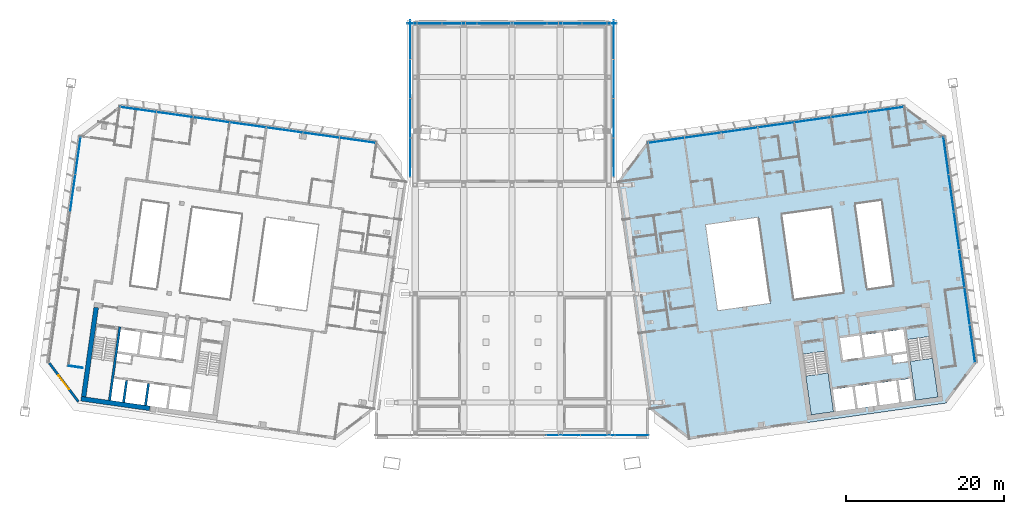
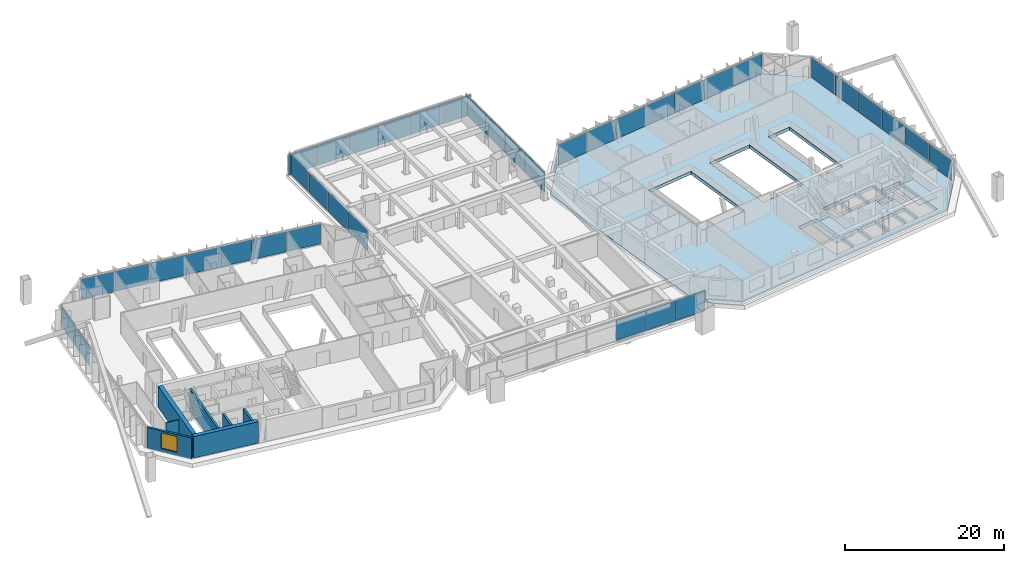
# One storey, part 14 of 28: 39 plates, 7 walls, 3 slabs, 1 window, 1 opening, 10 elements without a shape of their own.
"""IFC4 building model written with IfcOpenShell, lengths in metres."""

from ifc_helpers import new_model, si_unit, direction, frame, frame_2d, origin, origin_2d, place, context, subcontext, project, spatial, polyline, rectangle, outline, extrude, material, layer, layer_set, type_object, element, fill, aggregate, save


model = new_model("IFC4")

# Units and contexts
model_context = context("Model", 3, precision=1e-05, world=origin(), true_north=direction((0.0, 1.0)))
body_context = subcontext(model_context, "Body", "Model", "MODEL_VIEW")
ifc_project = project(units=[si_unit("LENGTHUNIT", "METRE"), si_unit("AREAUNIT", "SQUARE_METRE"), si_unit("VOLUMEUNIT", "CUBIC_METRE"), si_unit("PLANEANGLEUNIT", "RADIAN"), si_unit("MASSUNIT", "GRAM", prefix="KILO")], contexts=[model_context])

# Site, building, storey
site_placement = place(None, origin())
site = spatial("IfcSite", under=ifc_project, at=site_placement, CompositionType="ELEMENT")
building_placement = place(site_placement, origin())
building = spatial("IfcBuilding", under=site, at=building_placement, Name="Mirante Cascada Hotel Towers", CompositionType="ELEMENT")
storey_placement = place(building_placement, frame((0.0, 0.0, 262.2)))
storey = spatial("IfcBuildingStorey", under=building, at=storey_placement, Name="L63", CompositionType="ELEMENT", Elevation=262.2)

# Curtain wall, plates
ifc_material_1 = material(Name="Aluminium mullion and transom frame with clear laminated glass", Category="aluminium")
curtain_wall_type_1 = type_object("IfcCurtainWallType", Name="Ribbon curtain wall ECW1", PredefinedType="NOTDEFINED", material=ifc_material_1)
curtain_wall_1_placement = place(storey_placement, origin())
curtain_wall_1 = element("IfcCurtainWall", 1, at=curtain_wall_1_placement, inside=storey, type_object=curtain_wall_type_1, Name="Front ribbon wall T1 L63", PredefinedType="NOTDEFINED")
ifc_material_2 = material(Name="Clear laminated glass", Category="glass")
ifc_layer_1 = layer(ifc_material_2, 0.036)
ifc_layer_set_1 = layer_set([ifc_layer_1], Name="ECW1 glass panel 36")
plate_type_1 = type_object("IfcPlateType", Name="ECW1 glass panel 36", PredefinedType="CURTAIN_PANEL", material=ifc_layer_set_1)
plate_1_placement = place(storey_placement, frame((-47.2679, 19.4621, 0.1), z_axis=(0.0, 0.0, 1.0), x_axis=(0.9902681, -0.1391731, 0.0)))
plate_1 = element("IfcPlate", 2, at=plate_1_placement, type_object=plate_type_1, Name="ECW1 panel 1", PredefinedType="CURTAIN_PANEL", context=body_context, shape_type="SweptSolid", body=[
    extrude(rectangle(XDim=4.5722, YDim=0.036, at=origin_2d()), origin(), (0.0, 0.0, 1.0), 3.1),
])
plate_2_placement = place(storey_placement, frame((-42.6598, 18.8145, 0.1), z_axis=(0.0, 0.0, 1.0), x_axis=(0.9902681, -0.1391731, 0.0)))
plate_2 = element("IfcPlate", 3, at=plate_2_placement, type_object=plate_type_1, Name="ECW1 panel 2", PredefinedType="CURTAIN_PANEL", context=body_context, shape_type="SweptSolid", body=[
    extrude(rectangle(XDim=4.6047, YDim=0.036, at=origin_2d()), origin(), (0.0, 0.0, 1.0), 3.1),
])
plate_3_placement = place(storey_placement, frame((-38.0355, 18.1646, 0.1), z_axis=(0.0, 0.0, 1.0), x_axis=(0.9902681, -0.1391731, 0.0)))
plate_3 = element("IfcPlate", 4, at=plate_3_placement, type_object=plate_type_1, Name="ECW1 panel 3", PredefinedType="CURTAIN_PANEL", context=body_context, shape_type="SweptSolid", body=[
    extrude(rectangle(XDim=4.6047, YDim=0.036, at=origin_2d()), origin(), (0.0, 0.0, 1.0), 3.1),
])
plate_4_placement = place(storey_placement, frame((-33.4113, 17.5147, 0.1), z_axis=(0.0, 0.0, 1.0), x_axis=(0.9902681, -0.1391731, 0.0)))
plate_4 = element("IfcPlate", 5, at=plate_4_placement, type_object=plate_type_1, Name="ECW1 panel 4", PredefinedType="CURTAIN_PANEL", context=body_context, shape_type="SweptSolid", body=[
    extrude(rectangle(XDim=4.6047, YDim=0.036, at=origin_2d()), origin(), (0.0, 0.0, 1.0), 3.1),
])
plate_5_placement = place(storey_placement, frame((-28.7871, 16.8648, 0.1), z_axis=(0.0, 0.0, 1.0), x_axis=(0.9902681, -0.1391731, 0.0)))
plate_5 = element("IfcPlate", 6, at=plate_5_placement, type_object=plate_type_1, Name="ECW1 panel 5", PredefinedType="CURTAIN_PANEL", context=body_context, shape_type="SweptSolid", body=[
    extrude(rectangle(XDim=4.6047, YDim=0.036, at=origin_2d()), origin(), (0.0, 0.0, 1.0), 3.1),
])
plate_6_placement = place(storey_placement, frame((-24.1628, 16.2149, 0.1), z_axis=(0.0, 0.0, 1.0), x_axis=(0.9902681, -0.1391731, 0.0)))
plate_6 = element("IfcPlate", 7, at=plate_6_placement, type_object=plate_type_1, Name="ECW1 panel 6", PredefinedType="CURTAIN_PANEL", context=body_context, shape_type="SweptSolid", body=[
    extrude(rectangle(XDim=4.6047, YDim=0.036, at=origin_2d()), origin(), (0.0, 0.0, 1.0), 3.1),
])
plate_7_placement = place(storey_placement, frame((-19.5547, 15.5673, 0.1), z_axis=(0.0, 0.0, 1.0), x_axis=(0.9902681, -0.1391731, 0.0)))
plate_7 = element("IfcPlate", 8, at=plate_7_placement, type_object=plate_type_1, Name="ECW1 panel 7", PredefinedType="CURTAIN_PANEL", context=body_context, shape_type="SweptSolid", body=[
    extrude(rectangle(XDim=4.5722, YDim=0.036, at=origin_2d()), origin(), (0.0, 0.0, 1.0), 3.1),
])
aggregate(curtain_wall_1, [plate_1, plate_2, plate_3, plate_4, plate_5, plate_6, plate_7])

curtain_wall_2_placement = place(storey_placement, origin())
curtain_wall_2 = element("IfcCurtainWall", 9, at=curtain_wall_2_placement, inside=storey, type_object=curtain_wall_type_1, Name="Front ribbon wall T2 L63", PredefinedType="NOTDEFINED")
plate_8_placement = place(storey_placement, frame((47.2679, 19.4621, 0.1), z_axis=(0.0, 0.0, 1.0), x_axis=(-0.9902681, -0.1391731, 0.0)))
plate_8 = element("IfcPlate", 10, at=plate_8_placement, type_object=plate_type_1, Name="ECW1 panel 1", PredefinedType="CURTAIN_PANEL", context=body_context, shape_type="SweptSolid", body=[
    extrude(rectangle(XDim=4.5722, YDim=0.036, at=origin_2d()), origin(), (0.0, 0.0, 1.0), 3.1),
])
plate_9_placement = place(storey_placement, frame((42.6598, 18.8145, 0.1), z_axis=(0.0, 0.0, 1.0), x_axis=(-0.9902681, -0.1391731, 0.0)))
plate_9 = element("IfcPlate", 11, at=plate_9_placement, type_object=plate_type_1, Name="ECW1 panel 2", PredefinedType="CURTAIN_PANEL", context=body_context, shape_type="SweptSolid", body=[
    extrude(rectangle(XDim=4.6047, YDim=0.036, at=origin_2d()), origin(), (0.0, 0.0, 1.0), 3.1),
])
plate_10_placement = place(storey_placement, frame((38.0355, 18.1646, 0.1), z_axis=(0.0, 0.0, 1.0), x_axis=(-0.9902681, -0.1391731, 0.0)))
plate_10 = element("IfcPlate", 12, at=plate_10_placement, type_object=plate_type_1, Name="ECW1 panel 3", PredefinedType="CURTAIN_PANEL", context=body_context, shape_type="SweptSolid", body=[
    extrude(rectangle(XDim=4.6047, YDim=0.036, at=origin_2d()), origin(), (0.0, 0.0, 1.0), 3.1),
])
plate_11_placement = place(storey_placement, frame((33.4113, 17.5147, 0.1), z_axis=(0.0, 0.0, 1.0), x_axis=(-0.9902681, -0.1391731, 0.0)))
plate_11 = element("IfcPlate", 13, at=plate_11_placement, type_object=plate_type_1, Name="ECW1 panel 4", PredefinedType="CURTAIN_PANEL", context=body_context, shape_type="SweptSolid", body=[
    extrude(rectangle(XDim=4.6047, YDim=0.036, at=origin_2d()), origin(), (0.0, 0.0, 1.0), 3.1),
])
plate_12_placement = place(storey_placement, frame((28.7871, 16.8648, 0.1), z_axis=(0.0, 0.0, 1.0), x_axis=(-0.9902681, -0.1391731, 0.0)))
plate_12 = element("IfcPlate", 14, at=plate_12_placement, type_object=plate_type_1, Name="ECW1 panel 5", PredefinedType="CURTAIN_PANEL", context=body_context, shape_type="SweptSolid", body=[
    extrude(rectangle(XDim=4.6047, YDim=0.036, at=origin_2d()), origin(), (0.0, 0.0, 1.0), 3.1),
])
plate_13_placement = place(storey_placement, frame((24.1628, 16.2149, 0.1), z_axis=(0.0, 0.0, 1.0), x_axis=(-0.9902681, -0.1391731, 0.0)))
plate_13 = element("IfcPlate", 15, at=plate_13_placement, type_object=plate_type_1, Name="ECW1 panel 6", PredefinedType="CURTAIN_PANEL", context=body_context, shape_type="SweptSolid", body=[
    extrude(rectangle(XDim=4.6047, YDim=0.036, at=origin_2d()), origin(), (0.0, 0.0, 1.0), 3.1),
])
plate_14_placement = place(storey_placement, frame((19.5547, 15.5673, 0.1), z_axis=(0.0, 0.0, 1.0), x_axis=(-0.9902681, -0.1391731, 0.0)))
plate_14 = element("IfcPlate", 16, at=plate_14_placement, type_object=plate_type_1, Name="ECW1 panel 7", PredefinedType="CURTAIN_PANEL", context=body_context, shape_type="SweptSolid", body=[
    extrude(rectangle(XDim=4.5722, YDim=0.036, at=origin_2d()), origin(), (0.0, 0.0, 1.0), 3.1),
])
aggregate(curtain_wall_2, [plate_8, plate_9, plate_10, plate_11, plate_12, plate_13, plate_14])

ifc_material_3 = material(Name="Aluminium mullion and transom frame with clear laminated glass", Category="aluminium")
curtain_wall_type_2 = type_object("IfcCurtainWallType", Name="End ribbon curtain wall ECW2", PredefinedType="NOTDEFINED", material=ifc_material_3)
curtain_wall_3_placement = place(storey_placement, origin())
curtain_wall_3 = element("IfcCurtainWall", 17, at=curtain_wall_3_placement, inside=storey, type_object=curtain_wall_type_2, Name="Outer end wall T1 L63", PredefinedType="NOTDEFINED")
ifc_material_4 = material(Name="Clear laminated glass", Category="glass")
ifc_layer_2 = layer(ifc_material_4, 0.034)
ifc_layer_set_2 = layer_set([ifc_layer_2], Name="ECW2 glass panel 34")
plate_type_2 = type_object("IfcPlateType", Name="ECW2 glass panel 34", PredefinedType="CURTAIN_PANEL", material=ifc_layer_set_2)
plate_15_placement = place(storey_placement, frame((-55.584, 8.8855, 0.1), z_axis=(0.0, 0.0, 1.0), x_axis=(0.1391731, 0.9902681, 0.0)))
plate_15 = element("IfcPlate", 18, at=plate_15_placement, type_object=plate_type_2, Name="ECW2 panel 5", PredefinedType="CURTAIN_PANEL", context=body_context, shape_type="SweptSolid", body=[
    extrude(rectangle(XDim=4.7476, YDim=0.034, at=origin_2d()), origin(), (0.0, 0.0, 1.0), 3.1),
])
plate_16_placement = place(storey_placement, frame((-54.9165, 13.6352, 0.1), z_axis=(0.0, 0.0, 1.0), x_axis=(0.1391731, 0.9902681, 0.0)))
plate_16 = element("IfcPlate", 19, at=plate_16_placement, type_object=plate_type_2, Name="ECW2 panel 6", PredefinedType="CURTAIN_PANEL", context=body_context, shape_type="SweptSolid", body=[
    extrude(rectangle(XDim=4.7151, YDim=0.034, at=origin_2d()), origin(), (0.0, 0.0, 1.0), 3.1),
])
aggregate(curtain_wall_3, [plate_15, plate_16])

curtain_wall_4_placement = place(storey_placement, origin())
curtain_wall_4 = element("IfcCurtainWall", 20, at=curtain_wall_4_placement, inside=storey, type_object=curtain_wall_type_2, Name="Outer end wall T2 L63", PredefinedType="NOTDEFINED")
plate_17_placement = place(storey_placement, frame((58.2609, -10.1616, 0.1), z_axis=(0.0, 0.0, 1.0), x_axis=(-0.1391731, 0.9902681, 0.0)))
plate_17 = element("IfcPlate", 21, at=plate_17_placement, type_object=plate_type_2, Name="ECW2 panel 1", PredefinedType="CURTAIN_PANEL", context=body_context, shape_type="SweptSolid", body=[
    extrude(rectangle(XDim=4.7151, YDim=0.034, at=origin_2d()), origin(), (0.0, 0.0, 1.0), 3.1),
])
plate_18_placement = place(storey_placement, frame((57.5934, -5.4119, 0.1), z_axis=(0.0, 0.0, 1.0), x_axis=(-0.1391731, 0.9902681, 0.0)))
plate_18 = element("IfcPlate", 22, at=plate_18_placement, type_object=plate_type_2, Name="ECW2 panel 2", PredefinedType="CURTAIN_PANEL", context=body_context, shape_type="SweptSolid", body=[
    extrude(rectangle(XDim=4.7476, YDim=0.034, at=origin_2d()), origin(), (0.0, 0.0, 1.0), 3.1),
])
plate_19_placement = place(storey_placement, frame((56.9236, -0.6461, 0.1), z_axis=(0.0, 0.0, 1.0), x_axis=(-0.1391731, 0.9902681, 0.0)))
plate_19 = element("IfcPlate", 23, at=plate_19_placement, type_object=plate_type_2, Name="ECW2 panel 3", PredefinedType="CURTAIN_PANEL", context=body_context, shape_type="SweptSolid", body=[
    extrude(rectangle(XDim=4.7476, YDim=0.034, at=origin_2d()), origin(), (0.0, 0.0, 1.0), 3.1),
])
plate_20_placement = place(storey_placement, frame((56.2538, 4.1197, 0.1), z_axis=(0.0, 0.0, 1.0), x_axis=(-0.1391731, 0.9902681, 0.0)))
plate_20 = element("IfcPlate", 24, at=plate_20_placement, type_object=plate_type_2, Name="ECW2 panel 4", PredefinedType="CURTAIN_PANEL", context=body_context, shape_type="SweptSolid", body=[
    extrude(rectangle(XDim=4.7476, YDim=0.034, at=origin_2d()), origin(), (0.0, 0.0, 1.0), 3.1),
])
plate_21_placement = place(storey_placement, frame((55.584, 8.8855, 0.1), z_axis=(0.0, 0.0, 1.0), x_axis=(-0.1391731, 0.9902681, 0.0)))
plate_21 = element("IfcPlate", 25, at=plate_21_placement, type_object=plate_type_2, Name="ECW2 panel 5", PredefinedType="CURTAIN_PANEL", context=body_context, shape_type="SweptSolid", body=[
    extrude(rectangle(XDim=4.7476, YDim=0.034, at=origin_2d()), origin(), (0.0, 0.0, 1.0), 3.1),
])
plate_22_placement = place(storey_placement, frame((54.9165, 13.6352, 0.1), z_axis=(0.0, 0.0, 1.0), x_axis=(-0.1391731, 0.9902681, 0.0)))
plate_22 = element("IfcPlate", 26, at=plate_22_placement, type_object=plate_type_2, Name="ECW2 panel 6", PredefinedType="CURTAIN_PANEL", context=body_context, shape_type="SweptSolid", body=[
    extrude(rectangle(XDim=4.7151, YDim=0.034, at=origin_2d()), origin(), (0.0, 0.0, 1.0), 3.1),
])
aggregate(curtain_wall_4, [plate_17, plate_18, plate_19, plate_20, plate_21, plate_22])

ifc_material_5 = material(Name="Aluminium mullion and transom frame with clear laminated glass", Category="aluminium")
curtain_wall_type_3 = type_object("IfcCurtainWallType", Name="Sky park deck curtain wall ECW5", PredefinedType="NOTDEFINED", material=ifc_material_5)
curtain_wall_5_placement = place(storey_placement, origin())
curtain_wall_5 = element("IfcCurtainWall", 27, at=curtain_wall_5_placement, inside=storey, type_object=curtain_wall_type_3, Name="Sky park glazing L63 run 1", PredefinedType="NOTDEFINED")
ifc_material_6 = material(Name="Clear laminated glass", Category="glass")
ifc_layer_3 = layer(ifc_material_6, 0.032)
ifc_layer_set_3 = layer_set([ifc_layer_3], Name="ECW5 glass panel 32")
plate_type_3 = type_object("IfcPlateType", Name="ECW5 glass panel 32", PredefinedType="CURTAIN_PANEL", material=ifc_layer_set_3)
plate_23_placement = place(storey_placement, frame((15.1664, -21.7525, 0.09), z_axis=(0.0, 0.0, 1.0), x_axis=(1.0, 0.0, 0.0)))
plate_23 = element("IfcPlate", 28, at=plate_23_placement, type_object=plate_type_3, Name="ECW5 panel 8", PredefinedType="CURTAIN_PANEL", context=body_context, shape_type="SweptSolid", body=[
    extrude(rectangle(XDim=4.2475, YDim=0.032, at=origin_2d()), origin(), (0.0, 0.0, 1.0), 3.12),
])
ifc_material_7 = material(Name="Insulated aluminium spandrel panel", Category="aluminium")
ifc_layer_4 = layer(ifc_material_7, 0.032)
ifc_layer_set_4 = layer_set([ifc_layer_4], Name="ECW5 spandrel panel 32")
plate_type_4 = type_object("IfcPlateType", Name="ECW5 spandrel panel 32", PredefinedType="CURTAIN_PANEL", material=ifc_layer_set_4)
plate_24_placement = place(storey_placement, frame((6.5063, -21.7525, 0.09), z_axis=(0.0, 0.0, 1.0), x_axis=(1.0, 0.0, 0.0)))
plate_24 = element("IfcPlate", 29, at=plate_24_placement, type_object=plate_type_4, Name="ECW5 panel 6", PredefinedType="CURTAIN_PANEL", context=body_context, shape_type="SweptSolid", body=[
    extrude(rectangle(XDim=4.2775, YDim=0.032, at=origin_2d()), origin(), (0.0, 0.0, 1.0), 3.12),
])
plate_25_placement = place(storey_placement, frame((10.8439, -21.7525, 0.09), z_axis=(0.0, 0.0, 1.0), x_axis=(1.0, 0.0, 0.0)))
plate_25 = element("IfcPlate", 30, at=plate_25_placement, type_object=plate_type_4, Name="ECW5 panel 7", PredefinedType="CURTAIN_PANEL", context=body_context, shape_type="SweptSolid", body=[
    extrude(rectangle(XDim=4.2775, YDim=0.032, at=origin_2d()), origin(), (0.0, 0.0, 1.0), 3.12),
])
aggregate(curtain_wall_5, [plate_24, plate_25, plate_23])

curtain_wall_6_placement = place(storey_placement, origin())
curtain_wall_6 = element("IfcCurtainWall", 31, at=curtain_wall_6_placement, inside=storey, type_object=curtain_wall_type_3, Name="Sky park glazing L63 run 2", PredefinedType="NOTDEFINED")
plate_26_placement = place(storey_placement, frame((12.8642, 13.4, 0.09), z_axis=(0.0, 0.0, 1.0), x_axis=(0.0, 1.0, 0.0)))
plate_26 = element("IfcPlate", 32, at=plate_26_placement, type_object=plate_type_4, Name="ECW5 panel 1", PredefinedType="CURTAIN_PANEL", context=body_context, shape_type="SweptSolid", body=[
    extrude(rectangle(XDim=4.885, YDim=0.032, at=origin_2d()), origin(), (0.0, 0.0, 1.0), 3.12),
])
plate_27_placement = place(storey_placement, frame((12.8642, 18.36, 0.09), z_axis=(0.0, 0.0, 1.0), x_axis=(0.0, 1.0, 0.0)))
plate_27 = element("IfcPlate", 33, at=plate_27_placement, type_object=plate_type_4, Name="ECW5 panel 2", PredefinedType="CURTAIN_PANEL", context=body_context, shape_type="SweptSolid", body=[
    extrude(rectangle(XDim=4.915, YDim=0.032, at=origin_2d()), origin(), (0.0, 0.0, 1.0), 3.12),
])
plate_28_placement = place(storey_placement, frame((12.8642, 23.335, 0.09), z_axis=(0.0, 0.0, 1.0), x_axis=(0.0, 1.0, 0.0)))
plate_28 = element("IfcPlate", 34, at=plate_28_placement, type_object=plate_type_4, Name="ECW5 panel 3", PredefinedType="CURTAIN_PANEL", context=body_context, shape_type="SweptSolid", body=[
    extrude(rectangle(XDim=4.915, YDim=0.032, at=origin_2d()), origin(), (0.0, 0.0, 1.0), 3.12),
])
plate_29_placement = place(storey_placement, frame((12.8642, 28.295, 0.09), z_axis=(0.0, 0.0, 1.0), x_axis=(0.0, 1.0, 0.0)))
plate_29 = element("IfcPlate", 35, at=plate_29_placement, type_object=plate_type_4, Name="ECW5 panel 4", PredefinedType="CURTAIN_PANEL", context=body_context, shape_type="SweptSolid", body=[
    extrude(rectangle(XDim=4.885, YDim=0.032, at=origin_2d()), origin(), (0.0, 0.0, 1.0), 3.12),
])
aggregate(curtain_wall_6, [plate_26, plate_27, plate_28, plate_29])

curtain_wall_7_placement = place(storey_placement, origin())
curtain_wall_7 = element("IfcCurtainWall", 36, at=curtain_wall_7_placement, inside=storey, type_object=curtain_wall_type_3, Name="Sky park glazing L63 run 3", PredefinedType="NOTDEFINED")
plate_30_placement = place(storey_placement, frame((11.0801, 30.3475, 0.09), z_axis=(0.0, 0.0, 1.0), x_axis=(-1.0, 0.0, 0.0)))
plate_30 = element("IfcPlate", 37, at=plate_30_placement, type_object=plate_type_4, Name="ECW5 panel 1", PredefinedType="CURTAIN_PANEL", context=body_context, shape_type="SweptSolid", body=[
    extrude(rectangle(XDim=4.3481, YDim=0.032, at=origin_2d()), origin(), (0.0, 0.0, 1.0), 3.12),
])
plate_31_placement = place(storey_placement, frame((6.6571, 30.3475, 0.09), z_axis=(0.0, 0.0, 1.0), x_axis=(-1.0, 0.0, 0.0)))
plate_31 = element("IfcPlate", 38, at=plate_31_placement, type_object=plate_type_4, Name="ECW5 panel 2", PredefinedType="CURTAIN_PANEL", context=body_context, shape_type="SweptSolid", body=[
    extrude(rectangle(XDim=4.3781, YDim=0.032, at=origin_2d()), origin(), (0.0, 0.0, 1.0), 3.12),
])
plate_32_placement = place(storey_placement, frame((2.219, 30.3475, 0.09), z_axis=(0.0, 0.0, 1.0), x_axis=(-1.0, 0.0, 0.0)))
plate_32 = element("IfcPlate", 39, at=plate_32_placement, type_object=plate_type_4, Name="ECW5 panel 3", PredefinedType="CURTAIN_PANEL", context=body_context, shape_type="SweptSolid", body=[
    extrude(rectangle(XDim=4.3781, YDim=0.032, at=origin_2d()), origin(), (0.0, 0.0, 1.0), 3.12),
])
plate_33_placement = place(storey_placement, frame((-2.219, 30.3475, 0.09), z_axis=(0.0, 0.0, 1.0), x_axis=(-1.0, 0.0, 0.0)))
plate_33 = element("IfcPlate", 40, at=plate_33_placement, type_object=plate_type_4, Name="ECW5 panel 4", PredefinedType="CURTAIN_PANEL", context=body_context, shape_type="SweptSolid", body=[
    extrude(rectangle(XDim=4.3781, YDim=0.032, at=origin_2d()), origin(), (0.0, 0.0, 1.0), 3.12),
])
plate_34_placement = place(storey_placement, frame((-6.6571, 30.3475, 0.09), z_axis=(0.0, 0.0, 1.0), x_axis=(-1.0, 0.0, 0.0)))
plate_34 = element("IfcPlate", 41, at=plate_34_placement, type_object=plate_type_4, Name="ECW5 panel 5", PredefinedType="CURTAIN_PANEL", context=body_context, shape_type="SweptSolid", body=[
    extrude(rectangle(XDim=4.3781, YDim=0.032, at=origin_2d()), origin(), (0.0, 0.0, 1.0), 3.12),
])
plate_35_placement = place(storey_placement, frame((-11.0801, 30.3475, 0.09), z_axis=(0.0, 0.0, 1.0), x_axis=(-1.0, 0.0, 0.0)))
plate_35 = element("IfcPlate", 42, at=plate_35_placement, type_object=plate_type_4, Name="ECW5 panel 6", PredefinedType="CURTAIN_PANEL", context=body_context, shape_type="SweptSolid", body=[
    extrude(rectangle(XDim=4.3481, YDim=0.032, at=origin_2d()), origin(), (0.0, 0.0, 1.0), 3.12),
])
aggregate(curtain_wall_7, [plate_30, plate_31, plate_32, plate_33, plate_34, plate_35])

curtain_wall_8_placement = place(storey_placement, origin())
curtain_wall_8 = element("IfcCurtainWall", 43, at=curtain_wall_8_placement, inside=storey, type_object=curtain_wall_type_3, Name="Sky park glazing L63 run 4", PredefinedType="NOTDEFINED")
plate_36_placement = place(storey_placement, frame((-12.8642, 28.295, 0.09), z_axis=(0.0, 0.0, 1.0), x_axis=(0.0, -1.0, 0.0)))
plate_36 = element("IfcPlate", 44, at=plate_36_placement, type_object=plate_type_4, Name="ECW5 panel 1", PredefinedType="CURTAIN_PANEL", context=body_context, shape_type="SweptSolid", body=[
    extrude(rectangle(XDim=4.885, YDim=0.032, at=origin_2d()), origin(), (0.0, 0.0, 1.0), 3.12),
])
plate_37_placement = place(storey_placement, frame((-12.8642, 23.335, 0.09), z_axis=(0.0, 0.0, 1.0), x_axis=(0.0, -1.0, 0.0)))
plate_37 = element("IfcPlate", 45, at=plate_37_placement, type_object=plate_type_4, Name="ECW5 panel 2", PredefinedType="CURTAIN_PANEL", context=body_context, shape_type="SweptSolid", body=[
    extrude(rectangle(XDim=4.915, YDim=0.032, at=origin_2d()), origin(), (0.0, 0.0, 1.0), 3.12),
])
plate_38_placement = place(storey_placement, frame((-12.8642, 18.36, 0.09), z_axis=(0.0, 0.0, 1.0), x_axis=(0.0, -1.0, 0.0)))
plate_38 = element("IfcPlate", 46, at=plate_38_placement, type_object=plate_type_4, Name="ECW5 panel 3", PredefinedType="CURTAIN_PANEL", context=body_context, shape_type="SweptSolid", body=[
    extrude(rectangle(XDim=4.915, YDim=0.032, at=origin_2d()), origin(), (0.0, 0.0, 1.0), 3.12),
])
plate_39_placement = place(storey_placement, frame((-12.8642, 13.4, 0.09), z_axis=(0.0, 0.0, 1.0), x_axis=(0.0, -1.0, 0.0)))
plate_39 = element("IfcPlate", 47, at=plate_39_placement, type_object=plate_type_4, Name="ECW5 panel 4", PredefinedType="CURTAIN_PANEL", context=body_context, shape_type="SweptSolid", body=[
    extrude(rectangle(XDim=4.885, YDim=0.032, at=origin_2d()), origin(), (0.0, 0.0, 1.0), 3.12),
])
aggregate(curtain_wall_8, [plate_36, plate_37, plate_38, plate_39])

# Stair, slab
ifc_material_8 = material(Name="Concrete C35/45", Category="concrete")
stair_type = type_object("IfcStairType", Name="Exit stair half-turn 1350 concrete C35/45", PredefinedType="HALF_TURN_STAIR", material=ifc_material_8)
stair_1_placement = place(storey_placement, origin())
stair_1 = element("IfcStair", 48, at=stair_1_placement, inside=storey, type_object=stair_type, Name="L63 Exit stair A", PredefinedType="HALF_TURN_STAIR")
ifc_material_9 = material(Name="Concrete C35/45", Category="concrete")
ifc_layer_5 = layer(ifc_material_9, 0.2)
ifc_layer_set_5 = layer_set([ifc_layer_5], Name="Exit stair landing 200 concrete C35/45")
slab_type_1 = type_object("IfcSlabType", Name="Exit stair landing 200 concrete C35/45", PredefinedType="LANDING", material=ifc_layer_set_5)
slab_1_placement = place(storey_placement, frame((0.0, 0.0, 1.7)))
slab_1 = element("IfcSlab", 49, at=slab_1_placement, type_object=slab_type_1, Name="ST2-A landing 1", PredefinedType="LANDING", context=body_context, shape_type="SweptSolid", body=[
    extrude(outline(polyline([(37.1765, -14.2626), (37.8665, -19.1723), (40.6887, -18.7757), (39.9987, -13.8659), (37.1765, -14.2626)])), origin(), (0.0, 0.0, 1.0), 0.2),
])
aggregate(stair_1, [slab_1])

stair_2_placement = place(storey_placement, origin())
stair_2 = element("IfcStair", 50, at=stair_2_placement, inside=storey, type_object=stair_type, Name="L63 Exit stair B", PredefinedType="HALF_TURN_STAIR")
slab_2_placement = place(storey_placement, frame((0.0, 0.0, 1.7)))
slab_2 = element("IfcSlab", 51, at=slab_2_placement, type_object=slab_type_1, Name="ST2-B landing 1", PredefinedType="LANDING", context=body_context, shape_type="SweptSolid", body=[
    extrude(outline(polyline([(50.3965, -12.4046), (51.0866, -17.3144), (53.9088, -16.9177), (53.2188, -12.008), (50.3965, -12.4046)])), origin(), (0.0, 0.0, 1.0), 0.2),
])
aggregate(stair_2, [slab_2])

# Slab
ifc_material_10 = material(Name="Concrete C40/50", Category="concrete")
ifc_layer_6 = layer(ifc_material_10, 0.5)
ifc_layer_set_6 = layer_set([ifc_layer_6], Name="Post-tensioned flat plate 500 Concrete C40/50")
slab_type_2 = type_object("IfcSlabType", Name="Post-tensioned flat plate 500 Concrete C40/50", PredefinedType="FLOOR", material=ifc_layer_set_6)
slab_3_placement = place(storey_placement, frame((0.0, 0.0, -0.5)))
element("IfcSlab", 52, at=slab_3_placement, inside=storey, type_object=slab_type_2, Name="Floor T2 L63", PredefinedType="FLOOR", context=body_context, shape_type="SweptSolid", body=[
    extrude(outline(polyline([(17.3502, -18.4203), (13.3142, 10.2975), (17.1441, 15.3799), (49.6367, 19.9465), (54.7192, 16.1166), (58.7552, -12.6012), (54.9253, -17.6837), (22.4327, -22.2502), (17.3502, -18.4203)]), holes=[polyline([(40.5961, -15.9612), (40.9858, -18.7339), (43.4615, -18.386), (43.0718, -15.6132), (40.5961, -15.9612)]), polyline([(43.3689, -15.5715), (43.7586, -18.3442), (46.2342, -17.9963), (45.8446, -15.2236), (43.3689, -15.5715)]), polyline([(40.6887, -18.7757), (39.611, -11.107), (36.7887, -11.5037), (37.8665, -19.1723), (40.6887, -18.7757)]), polyline([(43.9775, -9.124), (41.5018, -9.472), (41.8915, -12.2447), (44.3672, -11.8968), (43.9775, -9.124)]), polyline([(46.7503, -8.7344), (44.2746, -9.0823), (44.6643, -11.855), (47.1399, -11.5071), (46.7503, -8.7344)]), polyline([(26.017, -5.9932), (24.4861, 4.8998), (31.1697, 5.8391), (32.7006, -5.0539), (26.017, -5.9932)]), polyline([(35.6734, -4.6361), (34.1425, 6.2569), (40.4533, 7.1438), (41.9842, -3.7491), (41.9842, -3.7491), (35.6734, -4.6361)]), polyline([(46.7671, 8.0312), (48.298, -2.8618), (44.957, -3.3313), (44.957, -3.3313), (43.4261, 7.5616), (46.7671, 8.0312)]), polyline([(48.6173, -14.8339), (46.1416, -15.1818), (46.5313, -17.9546), (49.007, -17.6066), (48.6173, -14.8339)]), polyline([(50.3998, -14.5834), (48.9144, -14.7921), (49.3041, -17.5649), (50.7895, -17.3561), (50.3998, -14.5834)]), polyline([(53.9088, -16.9177), (52.8311, -9.2491), (50.0088, -9.6457), (51.0866, -17.3144), (53.9088, -16.9177)]), polyline([(49.9544, -11.4145), (48.1472, -11.6685), (48.2829, -12.634), (50.0901, -12.38), (49.9544, -11.4145)]), polyline([(49.523, -8.3447), (47.0473, -8.6926), (47.437, -11.4654), (49.9127, -11.1174), (49.523, -8.3447)])]), origin(), (0.0, 0.0, 1.0), 0.5),
])

# Wall
ifc_material_11 = material(Name="Plasterboard on metal studs")
ifc_layer_7 = layer(ifc_material_11, 0.1)
ifc_layer_set_7 = layer_set([ifc_layer_7], Name="Partition 100")
wall_type_1 = type_object("IfcWallType", Name="Partition 100", PredefinedType="PARTITIONING", material=ifc_layer_set_7)
wall_1_placement = place(storey_placement, frame((-54.299, -13.2275, 0.0), z_axis=(0.0, 0.0, 1.0), x_axis=(-0.9902685, 0.1391702, 0.0)))
element("IfcWall", 53, at=wall_1_placement, inside=storey, type_object=wall_type_1, Name="Wall 1-L63-02", PredefinedType="PARTITIONING", context=body_context, shape_type="SweptSolid", body=[
    extrude(rectangle(XDim=1.81, YDim=0.1, at=frame_2d((0.905, 0.0))), origin(), (0.0, 0.0, 1.0), 3.3),
])

# Wall, opening, window
ifc_material_12 = material(Name="Precast concrete C40/50", Category="concrete")
ifc_layer_8 = layer(ifc_material_12, 0.3)
ifc_layer_set_8 = layer_set([ifc_layer_8], Name="Precast concrete C40/50 cladding wall 300")
wall_type_2 = type_object("IfcWallType", Name="Precast concrete C40/50 cladding wall 300", PredefinedType="STANDARD", material=ifc_layer_set_8)
wall_2_placement = place(storey_placement, frame((-54.8802, -17.4943, 0.0), z_axis=(0.0, 0.0, 1.0), x_axis=(-0.6018141, 0.7986362, 0.0)))
wall_2 = element("IfcWall", 54, at=wall_2_placement, inside=storey, type_object=wall_type_2, Name="Corner cladding wall T1 L63 rear outer", PredefinedType="STANDARD", context=body_context, shape_type="SweptSolid", body=[
    extrude(rectangle(XDim=6.1157, YDim=0.3, at=frame_2d((3.0578, 0.0))), origin(), (0.0, 0.0, 1.0), 3.3),
])
opening_placement = place(wall_2_placement, frame((1.9578, 0.0, 0.6)))
opening = element("IfcOpeningElement", 55, at=opening_placement, cuts=wall_2, Name="Opening W1-63-04", PredefinedType="OPENING", context=body_context, shape_type="SweptSolid", body=[
    extrude(rectangle(XDim=2.2, YDim=2.4, at=frame_2d((1.1, 1.2))), frame((0.0, 0.15, 0.0), z_axis=(0.0, -1.0, 0.0), x_axis=(1.0, 0.0, 0.0)), (0.0, 0.0, 1.0), 0.3),
])
ifc_material_13 = material(Name="Aluminium frame with clear double glazing", Category="aluminium")
window_type = type_object("IfcWindowType", Name="Corner suite window 2200x2400", PartitioningType="DOUBLE_PANEL_VERTICAL", PredefinedType="WINDOW", material=ifc_material_13)
window_placement = place(opening_placement, origin())
window = element("IfcWindow", 56, at=window_placement, inside=storey, type_object=window_type, Name="Window W1-63-04", OverallHeight=2.4, OverallWidth=2.2, PartitioningType="SINGLE_PANEL", PredefinedType="WINDOW", context=body_context, shape_type="SweptSolid", body=[
    extrude(rectangle(XDim=2.2, YDim=2.4, at=frame_2d((1.1, 1.2))), frame((0.0, 0.03, 0.0), z_axis=(0.0, -1.0, 0.0), x_axis=(1.0, 0.0, 0.0)), (0.0, 0.0, 1.0), 0.06),
])
fill(opening, window)

# Walls
ifc_material_14 = material(Name="Concrete C50/60", Category="concrete")
ifc_layer_9 = layer(ifc_material_14, 0.3)
ifc_layer_set_9 = layer_set([ifc_layer_9], Name="RC core wall 300 C50/60")
wall_type_3 = type_object("IfcWallType", Name="RC core wall 300 C50/60", PredefinedType="SHEAR", material=ifc_layer_set_9)
wall_3_placement = place(storey_placement, frame((-50.938, -17.3352, 0.0), z_axis=(0.0, 0.0, 1.0), x_axis=(0.1391706, 0.9902684, 0.0)))
element("IfcWall", 57, at=wall_3_placement, inside=storey, type_object=wall_type_3, Name="Core wall T1:L63:6", PredefinedType="SHEAR", context=body_context, shape_type="SweptSolid", body=[
    extrude(rectangle(XDim=9.4, YDim=0.3, at=frame_2d((4.7, 0.0))), origin(), (0.0, 0.0, 1.0), 3.3),
])
wall_4_placement = place(storey_placement, frame((-46.3828, -17.9754, 0.0), z_axis=(0.0, 0.0, 1.0), x_axis=(0.139181, 0.990267, 0.0)))
element("IfcWall", 58, at=wall_4_placement, inside=storey, type_object=wall_type_3, Name="Core wall T1:L63:13", PredefinedType="SHEAR", context=body_context, shape_type="SweptSolid", body=[
    extrude(rectangle(XDim=2.8, YDim=0.3, at=frame_2d((1.4, 0.0))), origin(), (0.0, 0.0, 1.0), 3.3),
])
wall_5_placement = place(storey_placement, frame((-49.1555, -17.5857, 0.0), z_axis=(0.0, 0.0, 1.0), x_axis=(0.1391459, 0.9902719, 0.0)))
element("IfcWall", 59, at=wall_5_placement, inside=storey, type_object=wall_type_3, Name="Core wall T1:L63:14", PredefinedType="SHEAR", context=body_context, shape_type="SweptSolid", body=[
    extrude(rectangle(XDim=2.7999, YDim=0.3, at=frame_2d((1.4, 0.0))), origin(), (0.0, 0.0, 1.0), 3.3),
])
ifc_material_15 = material(Name="Concrete C50/60", Category="concrete")
ifc_layer_10 = layer(ifc_material_15, 0.6)
ifc_layer_set_10 = layer_set([ifc_layer_10], Name="RC core wall 600 C50/60")
wall_type_4 = type_object("IfcWallType", Name="RC core wall 600 C50/60", PredefinedType="SHEAR", material=ifc_layer_set_10)
wall_6_placement = place(storey_placement, frame((-45.8429, -18.3542, 0.0), z_axis=(0.0, 0.0, 1.0), x_axis=(-0.990269, 0.1391666, 0.0)))
element("IfcWall", 60, at=wall_6_placement, inside=storey, type_object=wall_type_4, Name="Core wall T1:L63:1.2", PredefinedType="SHEAR", context=body_context, shape_type="SweptSolid", body=[
    extrude(rectangle(XDim=8.7873, YDim=0.6, at=frame_2d((4.3936, 0.0))), origin(), (0.0, 0.0, 1.0), 3.3),
])
wall_7_placement = place(storey_placement, frame((-54.2059, -16.876, 0.0), z_axis=(0.0, 0.0, 1.0), x_axis=(0.1391749, 0.9902678, 0.0)))
element("IfcWall", 61, at=wall_7_placement, inside=storey, type_object=wall_type_4, Name="Core wall T1:L63:4", PredefinedType="SHEAR", context=body_context, shape_type="SweptSolid", body=[
    extrude(rectangle(XDim=11.4, YDim=0.6, at=frame_2d((5.7, 0.0))), origin(), (0.0, 0.0, 1.0), 3.3),
])

save(model, "model.ifc")
